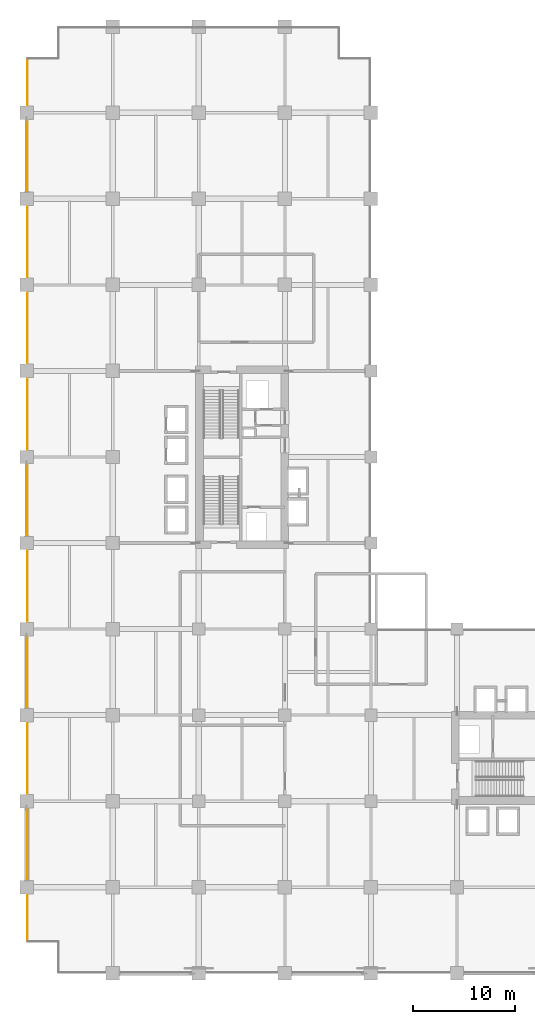
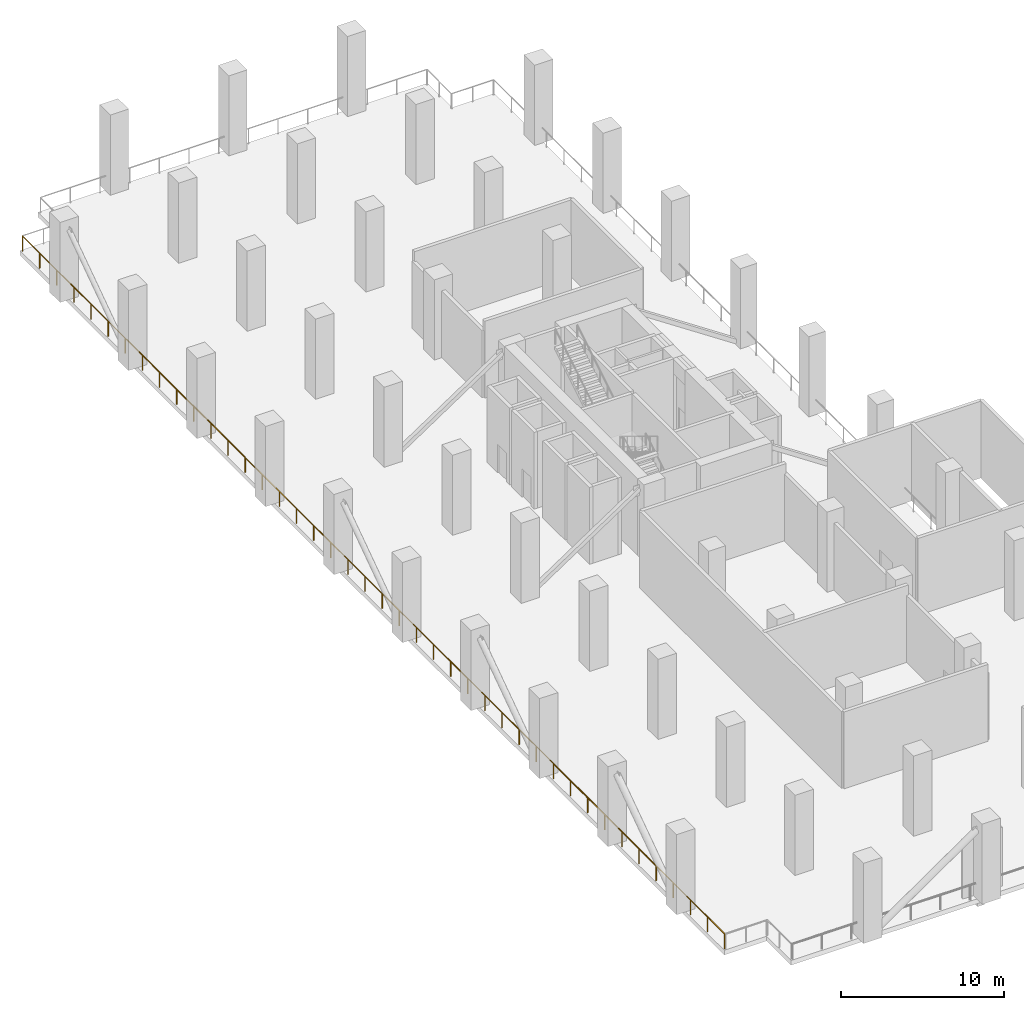
# One storey, part 17 of 19: 1 railing.
"""IFC4 building model written with IfcOpenShell, lengths in metres."""

from ifc_helpers import new_model, si_unit, direction, frame, origin, origin_2d, place, context, subcontext, project, spatial, circle, extrude, material, type_object, element, save


model = new_model("IFC4")

# Units and contexts
model_context = context("Model", 3, precision=1e-05, world=origin(), true_north=direction((0.0, 1.0)))
body_context = subcontext(model_context, "Body", "Model", "MODEL_VIEW")
ifc_project = project(units=[si_unit("LENGTHUNIT", "METRE"), si_unit("AREAUNIT", "SQUARE_METRE"), si_unit("VOLUMEUNIT", "CUBIC_METRE"), si_unit("PLANEANGLEUNIT", "RADIAN"), si_unit("MASSUNIT", "GRAM", prefix="KILO")], contexts=[model_context])

# Site, building, storey
site_placement = place(None, origin())
site = spatial("IfcSite", under=ifc_project, at=site_placement, CompositionType="ELEMENT")
building_placement = place(site_placement, origin())
building = spatial("IfcBuilding", under=site, at=building_placement, Name="Koriwani Terraces Tower", CompositionType="ELEMENT")
storey_placement = place(building_placement, frame((0.0, 0.0, 94.0)))
storey = spatial("IfcBuildingStorey", under=building, at=storey_placement, Name="L22", CompositionType="ELEMENT", Elevation=94.0)

# Railing
ifc_material = material(Name="Steel ASTM A572 Grade 50", Category="steel")
railing_type = type_object("IfcRailingType", Name="GUARD_BALUSTRADE_1150", PredefinedType="BALUSTRADE", material=ifc_material)
railing_placement = place(storey_placement, frame((0.10009765625, 3.135009765625, 0.0)))
element("IfcRailing", 1, at=railing_placement, inside=storey, type_object=railing_type, Name="L22 Open Wind Floor Perimeter Balustrade Segment 3", PredefinedType="BALUSTRADE", context=body_context, shape_type="SweptSolid", body=[
    extrude(circle(Radius=0.02490234375, at=origin_2d()), frame((0.0, 0.0, 1.125), z_axis=(0.0, 1.0, 0.0), x_axis=(-1.0, 0.0, 0.0)), (0.0, 0.0, 1.0), 86.1298828125),
    extrude(circle(Radius=0.0224609375, at=origin_2d()), origin(), (0.0, 0.0, 1.0), 1.099853515625),
    extrude(circle(Radius=0.0224609375, at=origin_2d()), frame((0.0, 2.100830078125, 0.0)), (0.0, 0.0, 1.0), 1.099853515625),
    extrude(circle(Radius=0.0224609375, at=origin_2d()), frame((0.0, 4.201416015625, 0.0)), (0.0, 0.0, 1.0), 1.099853515625),
    extrude(circle(Radius=0.0224609375, at=origin_2d()), frame((0.0, 6.30224609375, 0.0)), (0.0, 0.0, 1.0), 1.099853515625),
    extrude(circle(Radius=0.0224609375, at=origin_2d()), frame((0.0, 8.40283203125, 0.0)), (0.0, 0.0, 1.0), 1.099853515625),
    extrude(circle(Radius=0.0224609375, at=origin_2d()), frame((0.0, 10.503662109375, 0.0)), (0.0, 0.0, 1.0), 1.099853515625),
    extrude(circle(Radius=0.0224609375, at=origin_2d()), frame((0.0, 12.6044921875, 0.0)), (0.0, 0.0, 1.0), 1.099853515625),
    extrude(circle(Radius=0.0224609375, at=origin_2d()), frame((0.0, 14.705078125, 0.0)), (0.0, 0.0, 1.0), 1.099853515625),
    extrude(circle(Radius=0.0224609375, at=origin_2d()), frame((0.0, 16.805908203125, 0.0)), (0.0, 0.0, 1.0), 1.099853515625),
    extrude(circle(Radius=0.0224609375, at=origin_2d()), frame((0.0, 18.906494140625, 0.0)), (0.0, 0.0, 1.0), 1.099853515625),
    extrude(circle(Radius=0.0224609375, at=origin_2d()), frame((0.0, 21.00732421875, 0.0)), (0.0, 0.0, 1.0), 1.099853515625),
    extrude(circle(Radius=0.0224609375, at=origin_2d()), frame((0.0, 23.10791015625, 0.0)), (0.0, 0.0, 1.0), 1.099853515625),
    extrude(circle(Radius=0.0224609375, at=origin_2d()), frame((0.0, 25.208740234375, 0.0)), (0.0, 0.0, 1.0), 1.099853515625),
    extrude(circle(Radius=0.0224609375, at=origin_2d()), frame((0.0, 27.3095703125, 0.0)), (0.0, 0.0, 1.0), 1.099853515625),
    extrude(circle(Radius=0.0224609375, at=origin_2d()), frame((0.0, 29.41015625, 0.0)), (0.0, 0.0, 1.0), 1.099853515625),
    extrude(circle(Radius=0.0224609375, at=origin_2d()), frame((0.0, 31.510986328125, 0.0)), (0.0, 0.0, 1.0), 1.099853515625),
    extrude(circle(Radius=0.0224609375, at=origin_2d()), frame((0.0, 33.611572265625, 0.0)), (0.0, 0.0, 1.0), 1.099853515625),
    extrude(circle(Radius=0.0224609375, at=origin_2d()), frame((0.0, 35.71240234375, 0.0)), (0.0, 0.0, 1.0), 1.099853515625),
    extrude(circle(Radius=0.0224609375, at=origin_2d()), frame((0.0, 37.813232421875, 0.0)), (0.0, 0.0, 1.0), 1.099853515625),
    extrude(circle(Radius=0.0224609375, at=origin_2d()), frame((0.0, 39.913818359375, 0.0)), (0.0, 0.0, 1.0), 1.099853515625),
    extrude(circle(Radius=0.0224609375, at=origin_2d()), frame((0.0, 42.0146484375, 0.0)), (0.0, 0.0, 1.0), 1.099853515625),
    extrude(circle(Radius=0.0224609375, at=origin_2d()), frame((0.0, 44.115234375, 0.0)), (0.0, 0.0, 1.0), 1.099853515625),
    extrude(circle(Radius=0.0224609375, at=origin_2d()), frame((0.0, 46.216064453125, 0.0)), (0.0, 0.0, 1.0), 1.099853515625),
    extrude(circle(Radius=0.0224609375, at=origin_2d()), frame((0.0, 48.316650390625, 0.0)), (0.0, 0.0, 1.0), 1.099853515625),
    extrude(circle(Radius=0.0224609375, at=origin_2d()), frame((0.0, 50.41748046875, 0.0)), (0.0, 0.0, 1.0), 1.099853515625),
    extrude(circle(Radius=0.0224609375, at=origin_2d()), frame((0.0, 52.518310546875, 0.0)), (0.0, 0.0, 1.0), 1.099853515625),
    extrude(circle(Radius=0.0224609375, at=origin_2d()), frame((0.0, 54.618896484375, 0.0)), (0.0, 0.0, 1.0), 1.099853515625),
    extrude(circle(Radius=0.0224609375, at=origin_2d()), frame((0.0, 56.7197265625, 0.0)), (0.0, 0.0, 1.0), 1.099853515625),
    extrude(circle(Radius=0.0224609375, at=origin_2d()), frame((0.0, 58.8203125, 0.0)), (0.0, 0.0, 1.0), 1.099853515625),
    extrude(circle(Radius=0.0224609375, at=origin_2d()), frame((0.0, 60.921142578125, 0.0)), (0.0, 0.0, 1.0), 1.099853515625),
    extrude(circle(Radius=0.0224609375, at=origin_2d()), frame((0.0, 63.02197265625, 0.0)), (0.0, 0.0, 1.0), 1.099853515625),
    extrude(circle(Radius=0.0224609375, at=origin_2d()), frame((0.0, 65.12255859375, 0.0)), (0.0, 0.0, 1.0), 1.099853515625),
    extrude(circle(Radius=0.0224609375, at=origin_2d()), frame((0.0, 67.223388671875, 0.0)), (0.0, 0.0, 1.0), 1.099853515625),
    extrude(circle(Radius=0.0224609375, at=origin_2d()), frame((0.0, 69.323974609375, 0.0)), (0.0, 0.0, 1.0), 1.099853515625),
    extrude(circle(Radius=0.0224609375, at=origin_2d()), frame((0.0, 71.4248046875, 0.0)), (0.0, 0.0, 1.0), 1.099853515625),
    extrude(circle(Radius=0.0224609375, at=origin_2d()), frame((0.0, 73.525390625, 0.0)), (0.0, 0.0, 1.0), 1.099853515625),
    extrude(circle(Radius=0.0224609375, at=origin_2d()), frame((0.0, 75.626220703125, 0.0)), (0.0, 0.0, 1.0), 1.099853515625),
    extrude(circle(Radius=0.0224609375, at=origin_2d()), frame((0.0, 77.72705078125, 0.0)), (0.0, 0.0, 1.0), 1.099853515625),
    extrude(circle(Radius=0.0224609375, at=origin_2d()), frame((0.0, 79.82763671875, 0.0)), (0.0, 0.0, 1.0), 1.099853515625),
    extrude(circle(Radius=0.0224609375, at=origin_2d()), frame((0.0, 81.928466796875, 0.0)), (0.0, 0.0, 1.0), 1.099853515625),
    extrude(circle(Radius=0.0224609375, at=origin_2d()), frame((0.0, 84.029052734375, 0.0)), (0.0, 0.0, 1.0), 1.099853515625),
    extrude(circle(Radius=0.0224609375, at=origin_2d()), frame((0.0, 86.1298828125, 0.0)), (0.0, 0.0, 1.0), 1.099853515625),
])

save(model, "model.ifc")
